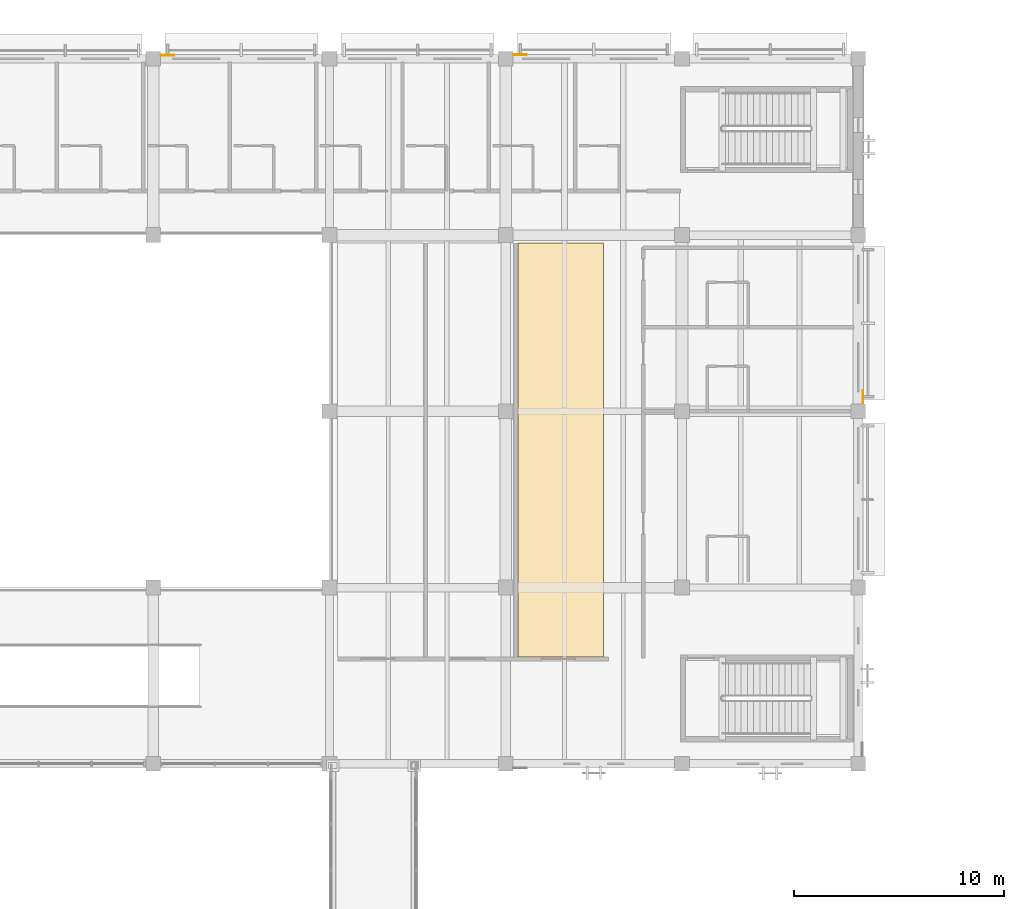
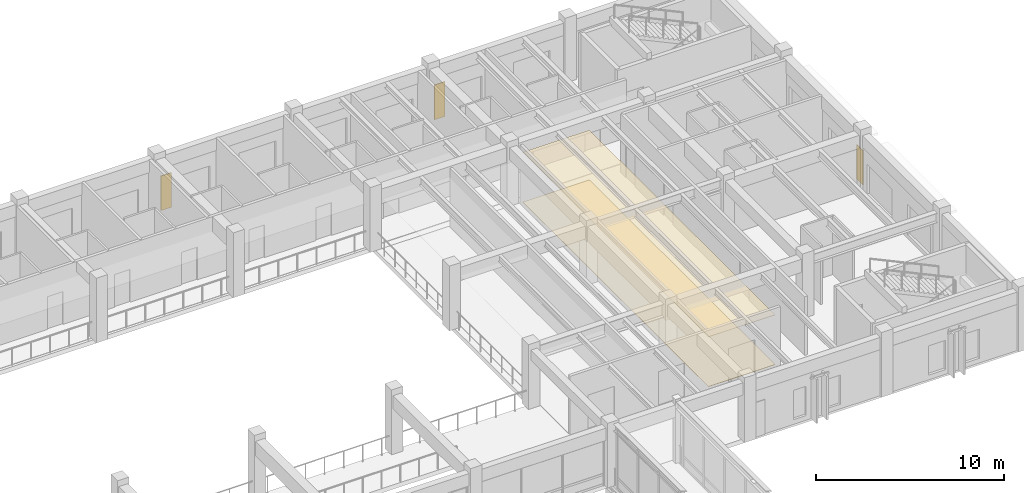
# One storey, part 131 of 132: 5 coverings.
"""IFC4 building model written with IfcOpenShell, lengths in metres."""

from ifc_helpers import new_model, si_unit, direction, frame, origin, place, context, subcontext, project, spatial, polyline, outline, extrude, material, layer, layer_set, type_object, element, save


model = new_model("IFC4")

# Units and contexts
model_context = context("Model", 3, precision=1e-05, world=origin(), true_north=direction((0.0, 1.0)))
body_context = subcontext(model_context, "Body", "Model", "MODEL_VIEW")
ifc_project = project(units=[si_unit("LENGTHUNIT", "METRE"), si_unit("AREAUNIT", "SQUARE_METRE"), si_unit("VOLUMEUNIT", "CUBIC_METRE"), si_unit("PLANEANGLEUNIT", "RADIAN"), si_unit("MASSUNIT", "GRAM", prefix="KILO")], contexts=[model_context])

# Site, building, storey
site_placement = place(None, origin())
site = spatial("IfcSite", under=ifc_project, at=site_placement, CompositionType="ELEMENT")
building_placement = place(site_placement, origin())
building = spatial("IfcBuilding", under=site, at=building_placement, Name="Cumbredor Promenade Congress Hotel", CompositionType="ELEMENT")
storey_placement = place(building_placement, frame((0.0, 0.0, 7.56005859375)))
storey = spatial("IfcBuildingStorey", under=building, at=storey_placement, Name="L02", CompositionType="ELEMENT", Elevation=7.56005859375)

# Coverings
ifc_material_1 = material(Name="Acoustic mineral-fiber and gypsum ceiling")
ifc_layer_1 = layer(ifc_material_1, 0.028076171875, Name="Acoustic mineral-fiber and gypsum ceiling")
ifc_layer_set_1 = layer_set([ifc_layer_1], Name="Acoustic mineral-fiber and gypsum ceiling")
covering_type_1 = type_object("IfcCoveringType", Name="Acoustic Perforated Gypsum Ceiling CLG-03 28mm", PredefinedType="CEILING", material=ifc_layer_set_1)
covering_1_placement = place(storey_placement, frame((0.0, 0.0, 3.223876953125)))
element("IfcCovering", 1, at=covering_1_placement, inside=storey, type_object=covering_type_1, Name="L02 East Congress Commission Room 5 Acoustic Ceiling", PredefinedType="CEILING", context=body_context, shape_type="SweptSolid", body=[
    extrude(outline(polyline([(160.179931640625, 108.820068359375), (164.27001953125, 108.820068359375), (164.27001953125, 89.080078125), (160.179931640625, 89.080078125), (160.179931640625, 108.820068359375)])), origin(), (0.0, 0.0, 1.0), 0.028076171875),
])
ifc_material_2 = material(Name="Precast concrete C40/50", Category="concrete")
ifc_layer_2 = layer(ifc_material_2, 0.044921875, Name="Precast concrete C40/50", Category="concrete")
ifc_layer_set_2 = layer_set([ifc_layer_2], Name="Precast concrete C40/50")
covering_type_2 = type_object("IfcCoveringType", Name="Board-Formed Architectural Cladding Panel 45mm", PredefinedType="CLADDING", material=ifc_layer_set_2)
covering_2_placement = place(storey_placement, origin())
element("IfcCovering", 2, at=covering_2_placement, inside=storey, type_object=covering_type_2, Name="L02 Facade Stone Cladding Pier 116", PredefinedType="CLADDING", context=body_context, shape_type="SweptSolid", body=[
    extrude(outline(polyline([(159.950927734375, 117.77490234375), (160.60107421875, 117.77490234375), (160.60107421875, 117.820068359375), (159.950927734375, 117.820068359375), (159.950927734375, 117.77490234375)])), origin(), (0.0, 0.0, 1.0), 2.25),
])
ifc_material_3 = material(Name="Porcelain stoneware tile", Category="masonry")
ifc_layer_3 = layer(ifc_material_3, 0.02490234375, Name="Porcelain stoneware tile", Category="masonry")
ifc_layer_set_3 = layer_set([ifc_layer_3], Name="Porcelain stoneware tile")
covering_type_3 = type_object("IfcCoveringType", Name="Porcelain Stoneware Flooring FLR-02 25mm", PredefinedType="FLOORING", material=ifc_layer_set_3)
covering_3_placement = place(storey_placement, origin())
element("IfcCovering", 3, at=covering_3_placement, inside=storey, type_object=covering_type_3, Name="L02 East Congress Commission Room 5 Porcelain Flooring", PredefinedType="FLOORING", context=body_context, shape_type="SweptSolid", body=[
    extrude(outline(polyline([(160.179931640625, 108.820068359375), (164.27001953125, 108.820068359375), (164.27001953125, 89.080078125), (160.179931640625, 89.080078125), (160.179931640625, 108.820068359375)])), origin(), (0.0, 0.0, 1.0), 0.02490234375),
])
ifc_material_4 = material(Name="Volcanic andesite ashlar cladding", Category="masonry")
ifc_layer_4 = layer(ifc_material_4, 0.034912109375, Name="Volcanic andesite ashlar cladding", Category="masonry")
ifc_layer_set_4 = layer_set([ifc_layer_4], Name="Volcanic andesite ashlar cladding")
covering_type_4 = type_object("IfcCoveringType", Name="Volcanic Andesite Ashlar Rainscreen Cladding 35mm", PredefinedType="CLADDING", material=ifc_layer_set_4)
covering_4_placement = place(storey_placement, origin())
element("IfcCovering", 4, at=covering_4_placement, inside=storey, type_object=covering_type_4, Name="L02 Facade Stone Cladding Pier 115", PredefinedType="CLADDING", context=body_context, shape_type="SweptSolid", body=[
    extrude(outline(polyline([(143.15087890625, 117.75), (143.801025390625, 117.75), (143.801025390625, 117.784912109375), (143.15087890625, 117.784912109375), (143.15087890625, 117.75)])), origin(), (0.0, 0.0, 1.0), 2.25),
])
covering_5_placement = place(storey_placement, origin())
element("IfcCovering", 5, at=covering_5_placement, inside=storey, type_object=covering_type_4, Name="L02 Facade Stone Cladding Pier 119", PredefinedType="CLADDING", context=body_context, shape_type="SweptSolid", body=[
    extrude(outline(polyline([(176.612548828125, 101.15087890625), (176.612548828125, 101.801025390625), (176.6474609375, 101.801025390625), (176.6474609375, 101.15087890625), (176.612548828125, 101.15087890625)])), origin(), (0.0, 0.0, 1.0), 2.25),
])

save(model, "model.ifc")
